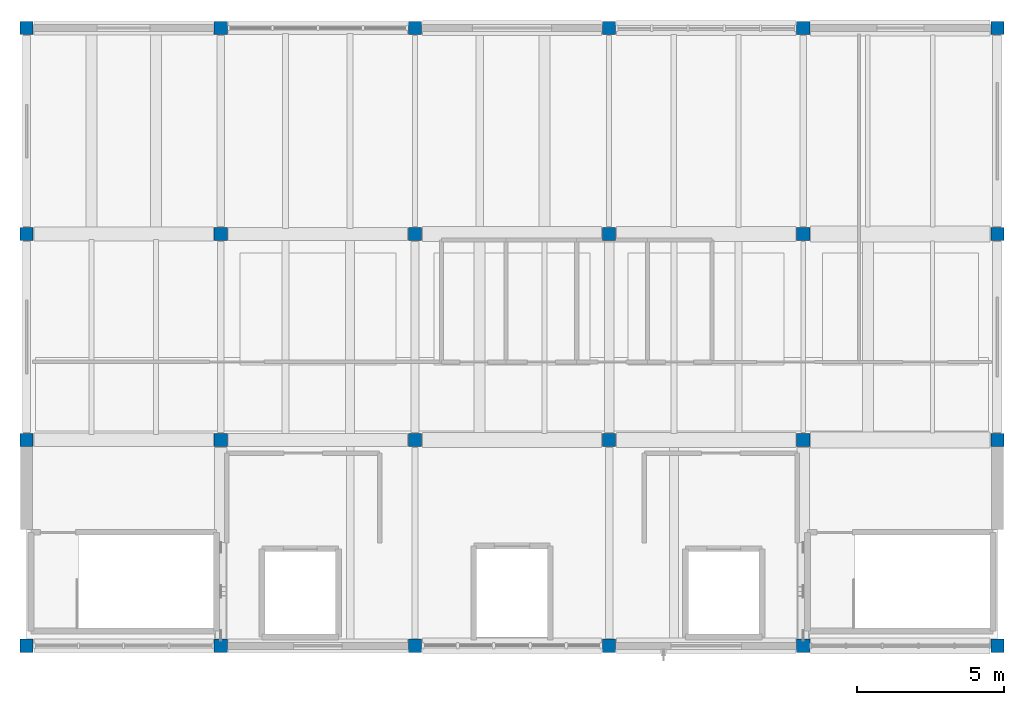
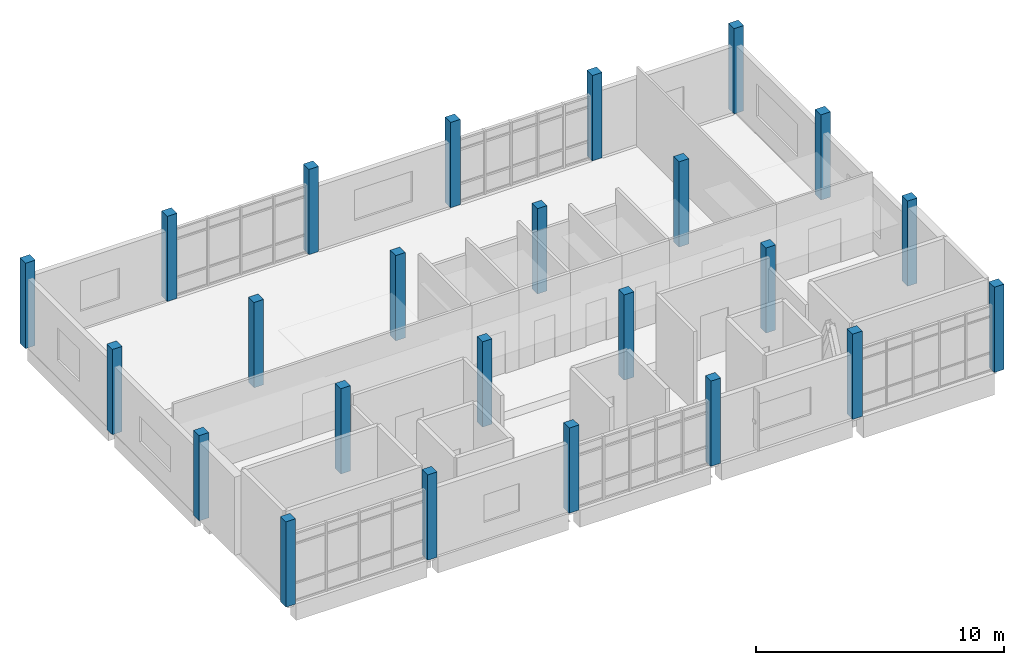
# One storey, part 1 of 10: 24 columns.
"""IFC4 building model written with IfcOpenShell, lengths in metres."""

from ifc_helpers import new_model, si_unit, direction, frame, origin, origin_2d, place, context, subcontext, project, spatial, rectangle, extrude, material, material_profile, profile_set, type_object, element, save


model = new_model("IFC4")

# Units and contexts
model_context = context("Model", 3, precision=1e-05, world=origin(), true_north=direction((0.0, 1.0)))
body_context = subcontext(model_context, "Body", "Model", "MODEL_VIEW")
ifc_project = project(units=[si_unit("LENGTHUNIT", "METRE"), si_unit("AREAUNIT", "SQUARE_METRE"), si_unit("VOLUMEUNIT", "CUBIC_METRE"), si_unit("PLANEANGLEUNIT", "RADIAN"), si_unit("MASSUNIT", "GRAM", prefix="KILO")], contexts=[model_context])

# Site, building, storey
site_placement = place(None, origin())
site = spatial("IfcSite", under=ifc_project, at=site_placement, CompositionType="ELEMENT")
building_placement = place(site_placement, origin())
building = spatial("IfcBuilding", under=site, at=building_placement, Name="Ciguamira Faculty of Natural Sciences", CompositionType="ELEMENT")
storey_placement = place(building_placement, frame((0.0, 0.0, 46.199951171875)))
storey = spatial("IfcBuildingStorey", under=building, at=storey_placement, Name="L11", CompositionType="ELEMENT", Elevation=46.199951171875)

# Columns
ifc_material = material(Name="Concrete C40/50", Category="concrete")
ifc_material_profile = material_profile(ifc_material, rectangle(XDim=0.449951171875, YDim=0.449951171875, at=origin_2d()), Name="RC-COL-450X450")
ifc_profile_set = profile_set([ifc_material_profile], Name="Concrete C40/50")
column_type = type_object("IfcColumnType", Name="Col_C-10_RC-COL-450X450", PredefinedType="COLUMN", material=ifc_profile_set)
for number, where, z_axis, x_axis, name in (
    (1, (70.5, 94.0, 0.0), (0.0, 0.0, 1.0), (1.0, 0.0, 0.0), "L11 column 11/P"),
    (2, (70.5, 101.0, 0.0), (0.0, 0.0, 1.0), (1.0, 0.0, 0.0), "L11 column 11/Q"),
    (3, (70.5, 108.0, 0.0), (0.0, 0.0, 1.0), (1.0, 0.0, 0.0), "L11 column 11/R"),
    (4, (70.5, 115.0, 0.0), (0.0, 0.0, 1.0), (1.0, 0.0, 0.0), "L11 column 11/S"),
    (5, (77.10009765625, 94.0, 0.0), (0.0, 0.0, 1.0), (1.0, 0.0, 0.0), "L11 column 12/P"),
    (6, (77.10009765625, 101.0, 0.0), (0.0, 0.0, 1.0), (1.0, 0.0, 0.0), "L11 column 12/Q"),
    (7, (77.10009765625, 108.0, 0.0), (0.0, 0.0, 1.0), (1.0, 0.0, 0.0), "L11 column 12/R"),
    (8, (77.10009765625, 115.0, 0.0), (0.0, 0.0, 1.0), (1.0, 0.0, 0.0), "L11 column 12/S"),
    (9, (83.699951171875, 94.0, 0.0), (0.0, 0.0, 1.0), (1.0, 0.0, 0.0), "L11 column 13/P"),
    (10, (83.699951171875, 101.0, 0.0), (0.0, 0.0, 1.0), (1.0, 0.0, 0.0), "L11 column 13/Q"),
    (11, (83.699951171875, 108.0, 0.0), (0.0, 0.0, 1.0), (1.0, 0.0, 0.0), "L11 column 13/R"),
    (12, (83.699951171875, 115.0, 0.0), (0.0, 0.0, 1.0), (1.0, 0.0, 0.0), "L11 column 13/S"),
    (13, (90.300048828125, 94.0, 0.0), (0.0, 0.0, 1.0), (1.0, 0.0, 0.0), "L11 column 14/P"),
    (14, (90.300048828125, 101.0, 0.0), (0.0, 0.0, 1.0), (1.0, 0.0, 0.0), "L11 column 14/Q"),
    (15, (90.300048828125, 108.0, 0.0), (0.0, 0.0, 1.0), (1.0, 0.0, 0.0), "L11 column 14/R"),
    (16, (90.300048828125, 115.0, 0.0), (0.0, 0.0, 1.0), (1.0, 0.0, 0.0), "L11 column 14/S"),
    (17, (96.89990234375, 94.0, 0.0), (0.0, 0.0, 1.0), (1.0, 0.0, 0.0), "L11 column 15/P"),
    (18, (96.89990234375, 101.0, 0.0), (0.0, 0.0, 1.0), (1.0, 0.0, 0.0), "L11 column 15/Q"),
    (19, (96.89990234375, 108.0, 0.0), (0.0, 0.0, 1.0), (1.0, 0.0, 0.0), "L11 column 15/R"),
    (20, (96.89990234375, 115.0, 0.0), (0.0, 0.0, 1.0), (1.0, 0.0, 0.0), "L11 column 15/S"),
    (21, (103.5, 94.0, 0.0), (0.0, 0.0, 1.0), (1.0, 0.0, 0.0), "L11 column 16/P"),
    (22, (103.5, 101.0, 0.0), (0.0, 0.0, 1.0), (1.0, 0.0, 0.0), "L11 column 16/Q"),
    (23, (103.5, 108.0, 0.0), (0.0, 0.0, 1.0), (1.0, 0.0, 0.0), "L11 column 16/R"),
    (24, (103.5, 115.0, 0.0), (0.0, 0.0, 1.0), (1.0, 0.0, 0.0), "L11 column 16/S"),
):
    element("IfcColumn", number, at=place(storey_placement, frame(where, z_axis=z_axis, x_axis=x_axis)), inside=storey, type_object=column_type, Name=name, PredefinedType="COLUMN", context=body_context, shape_type="SweptSolid", body=[
        extrude(rectangle(XDim=0.449951171875, YDim=0.449951171875, at=origin_2d()), origin(), (0.0, 0.0, 1.0), 4.199951171875),
    ])

save(model, "model.ifc")
